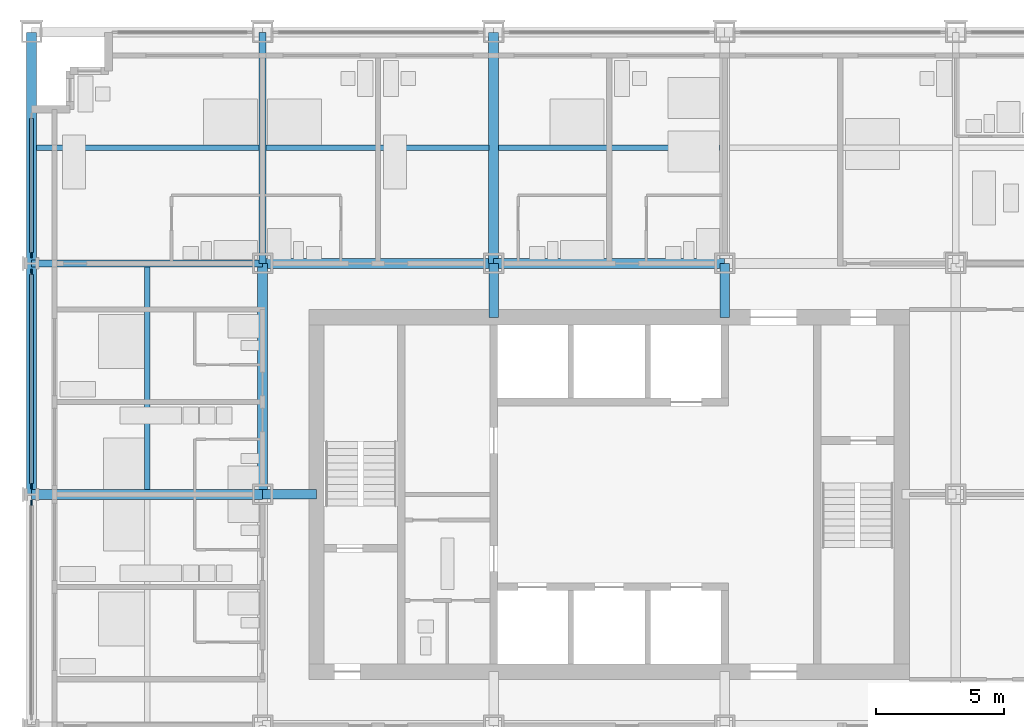
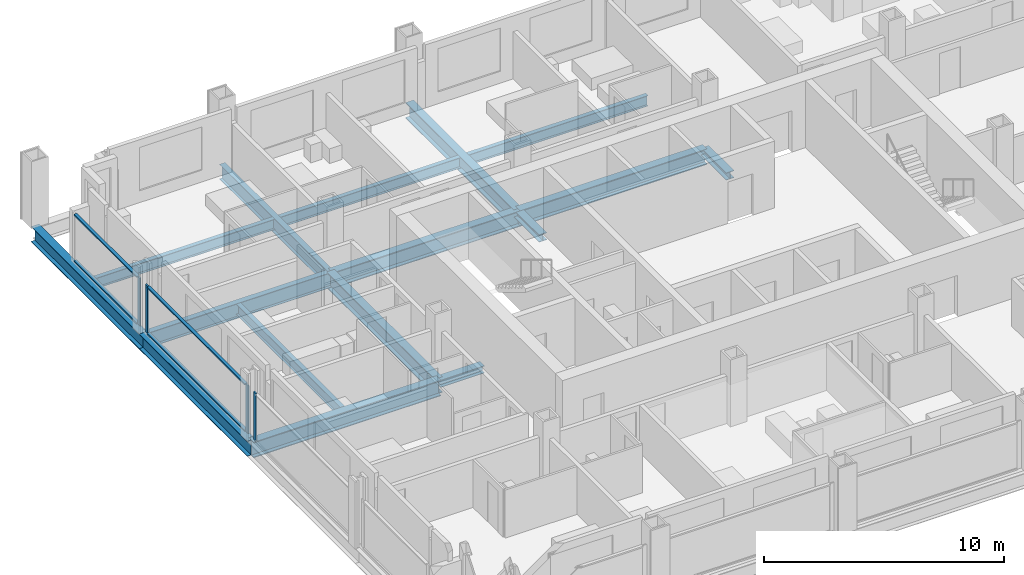
# One storey, part 4 of 18: 13 beams, 11 members, 3 elements without a shape of their own.
"""IFC4 building model written with IfcOpenShell, lengths in metres."""

from ifc_helpers import new_model, si_unit, direction, frame, origin, origin_2d, place, context, subcontext, project, spatial, rectangle, i_section, extrude, material, material_profile, profile_set, type_object, element, aggregate, save


model = new_model("IFC4")

# Units and contexts
model_context = context("Model", 3, precision=1e-05, world=origin(), true_north=direction((0.0, 1.0)))
body_context = subcontext(model_context, "Body", "Model", "MODEL_VIEW")
ifc_project = project(units=[si_unit("LENGTHUNIT", "METRE"), si_unit("AREAUNIT", "SQUARE_METRE"), si_unit("VOLUMEUNIT", "CUBIC_METRE"), si_unit("PLANEANGLEUNIT", "RADIAN"), si_unit("MASSUNIT", "GRAM", prefix="KILO")], contexts=[model_context])

# Site, building, storey
site_placement = place(None, origin())
site = spatial("IfcSite", under=ifc_project, at=site_placement, CompositionType="ELEMENT")
building_placement = place(site_placement, origin())
building = spatial("IfcBuilding", under=site, at=building_placement, Name="Loomwork Tower", CompositionType="ELEMENT")
storey_placement = place(building_placement, frame((0.0, 0.0, 55.199951171875)))
storey = spatial("IfcBuildingStorey", under=building, at=storey_placement, Name="L13", CompositionType="ELEMENT", Elevation=55.199951171875)

# Beams
ifc_material_1 = material(Name="Steel ASTM A992", Category="steel")
ifc_material_profile_1 = material_profile(ifc_material_1, i_section(OverallWidth=0.383544921875, OverallDepth=0.794921875, WebThickness=0.02099609375, FlangeThickness=0.0380859375, at=origin_2d()), Name="W30x235")
ifc_profile_set_1 = profile_set([ifc_material_profile_1], Name="Steel ASTM A992")
beam_type_1 = type_object("IfcBeamType", Name="CORE FLANK GIRDER W30x235", PredefinedType="BEAM", material=ifc_profile_set_1)
for number, where, z_axis, x_axis, name in (
    (1, (0.0, 18.0, -0.597412109375), (1.0, 0.0, 0.0), (0.0, 1.0, 0.0), "Core Flank Girder F/2-F/3 L13"),
    (2, (9.0, 27.0, -0.597412109375), (1.0, 0.0, 0.0), (0.0, 1.0, 0.0), "Core Flank Girder G/3-G/4 L13"),
    (3, (18.0, 27.0, -0.597412109375), (1.0, 0.0, 0.0), (0.0, 1.0, 0.0), "Core Flank Girder G/4-G/5 L13"),
    (4, (9.0, 18.0, -0.597412109375), (0.0, 1.0, 0.0), (-1.0, 0.0, 0.0), "Core Flank Girder F/3-G/3 L13"),
    (5, (18.0, 27.0, -0.597412109375), (0.0, 1.0, 0.0), (-1.0, 0.0, 0.0), "Core Flank Girder G/4-H/4 L13"),
):
    element("IfcBeam", number, at=place(storey_placement, frame(where, z_axis=z_axis, x_axis=x_axis)), inside=storey, type_object=beam_type_1, Name=name, PredefinedType="BEAM", context=body_context, shape_type="SweptSolid", body=[
        extrude(i_section(OverallWidth=0.383544921875, OverallDepth=0.794921875, WebThickness=0.02099609375, FlangeThickness=0.0380859375, at=origin_2d()), origin(), (0.0, 0.0, 1.0), 9.0),
    ])

# Members
ifc_material_2 = material(Name="Steel ASTM A992", Category="steel")
ifc_material_profile_2 = material_profile(ifc_material_2, i_section(OverallWidth=0.373291015625, OverallDepth=0.373291015625, WebThickness=0.016357421875, FlangeThickness=0.026123046875, at=origin_2d()), Name="W14x132")
ifc_profile_set_2 = profile_set([ifc_material_profile_2], Name="Steel ASTM A992")
member_type_1 = type_object("IfcMemberType", Name="CORE LINK STRUT W14x132", PredefinedType="STRUT", material=ifc_profile_set_2)
for number, where, z_axis, x_axis, name in (
    (6, (27.0, 27.0, -0.38671875), (0.0, -1.0, 0.0), (1.0, 0.0, 0.0), "Core link strut G/5-27.000,24.900 L13"),
    (7, (18.0, 27.0, -0.38671875), (0.0, -1.0, 0.0), (1.0, 0.0, 0.0), "Core link strut G/4-18.000,24.900 L13"),
    (8, (9.0, 18.0, -0.38671875), (1.0, 0.0, 0.0), (0.0, 1.0, 0.0), "Core link strut F/3-11.100,18.000 L13"),
):
    element("IfcMember", number, at=place(storey_placement, frame(where, z_axis=z_axis, x_axis=x_axis)), inside=storey, type_object=member_type_1, Name=name, PredefinedType="STRUT", context=body_context, shape_type="SweptSolid", body=[
        extrude(i_section(OverallWidth=0.373291015625, OverallDepth=0.373291015625, WebThickness=0.016357421875, FlangeThickness=0.026123046875, at=origin_2d()), origin(), (0.0, 0.0, 1.0), 2.10009765625),
    ])

# Beams
ifc_material_3 = material(Name="Steel ASTM A992", Category="steel")
ifc_material_profile_3 = material_profile(ifc_material_3, i_section(OverallWidth=0.2666015625, OverallDepth=0.761962890625, WebThickness=0.014404296875, FlangeThickness=0.021484375, at=origin_2d()), Name="W30x116")
ifc_profile_set_3 = profile_set([ifc_material_profile_3], Name="Steel ASTM A992")
beam_type_2 = type_object("IfcBeamType", Name="FLOOR GIRDER W30x116", PredefinedType="BEAM", material=ifc_profile_set_3)
for number, where, z_axis, x_axis, name in (
    (9, (0.0, 27.0, -0.5810546875), (1.0, 0.0, 0.0), (0.0, 1.0, 0.0), "Floor Girder G/2-G/3 L13"),
    (10, (9.0, 27.0, -0.5810546875), (0.0, 1.0, 0.0), (-1.0, 0.0, 0.0), "Floor Girder G/3-H/3 L13"),
):
    element("IfcBeam", number, at=place(storey_placement, frame(where, z_axis=z_axis, x_axis=x_axis)), inside=storey, type_object=beam_type_2, Name=name, PredefinedType="BEAM", context=body_context, shape_type="SweptSolid", body=[
        extrude(i_section(OverallWidth=0.2666015625, OverallDepth=0.761962890625, WebThickness=0.014404296875, FlangeThickness=0.021484375, at=origin_2d()), origin(), (0.0, 0.0, 1.0), 9.0),
    ])
ifc_material_4 = material(Name="Steel ASTM A992", Category="steel")
ifc_material_profile_4 = material_profile(ifc_material_4, i_section(OverallWidth=0.2109375, OverallDepth=0.53857421875, WebThickness=0.011474609375, FlangeThickness=0.018798828125, at=origin_2d()), Name="W21x73")
ifc_profile_set_4 = profile_set([ifc_material_profile_4], Name="Steel ASTM A992")
beam_type_3 = type_object("IfcBeamType", Name="FLOOR JOIST W21x73", PredefinedType="JOIST", material=ifc_profile_set_4)
beam_1_placement = place(storey_placement, frame((4.5, 18.19091796875, -0.46923828125), z_axis=(0.0, 1.0, 0.0), x_axis=(-1.0, 0.0, 0.0)))
element("IfcBeam", 11, at=beam_1_placement, inside=storey, type_object=beam_type_3, Name="Floor Joist 4.500,18.000-4.500,27.000 L13", PredefinedType="JOIST", context=body_context, shape_type="SweptSolid", body=[
    extrude(i_section(OverallWidth=0.2109375, OverallDepth=0.53857421875, WebThickness=0.011474609375, FlangeThickness=0.018798828125, at=origin_2d()), origin(), (0.0, 0.0, 1.0), 8.676025390625),
])
beam_2_placement = place(storey_placement, frame((0.18994140625, 31.5, -0.46923828125), z_axis=(1.0, 0.0, 0.0), x_axis=(0.0, 1.0, 0.0)))
element("IfcBeam", 12, at=beam_2_placement, inside=storey, type_object=beam_type_3, Name="Floor Joist 0.000,31.500-9.000,31.500 L13", PredefinedType="JOIST", context=body_context, shape_type="SweptSolid", body=[
    extrude(i_section(OverallWidth=0.2109375, OverallDepth=0.53857421875, WebThickness=0.011474609375, FlangeThickness=0.018798828125, at=origin_2d()), origin(), (0.0, 0.0, 1.0), 8.677001953125),
])
beam_3_placement = place(storey_placement, frame((9.133056640625, 31.5, -0.46923828125), z_axis=(1.0, 0.0, 0.0), x_axis=(0.0, 1.0, 0.0)))
element("IfcBeam", 13, at=beam_3_placement, inside=storey, type_object=beam_type_3, Name="Floor Joist 9.000,31.500-18.000,31.500 L13", PredefinedType="JOIST", context=body_context, shape_type="SweptSolid", body=[
    extrude(i_section(OverallWidth=0.2109375, OverallDepth=0.53857421875, WebThickness=0.011474609375, FlangeThickness=0.018798828125, at=origin_2d()), origin(), (0.0, 0.0, 1.0), 8.676025390625),
])
beam_4_placement = place(storey_placement, frame((18.19091796875, 31.5, -0.46923828125), z_axis=(1.0, 0.0, 0.0), x_axis=(0.0, 1.0, 0.0)))
element("IfcBeam", 14, at=beam_4_placement, inside=storey, type_object=beam_type_3, Name="Floor Joist 18.000,31.500-27.000,31.500 L13", PredefinedType="JOIST", context=body_context, shape_type="SweptSolid", body=[
    extrude(i_section(OverallWidth=0.2109375, OverallDepth=0.53857421875, WebThickness=0.011474609375, FlangeThickness=0.018798828125, at=origin_2d()), origin(), (0.0, 0.0, 1.0), 8.6181640625),
])

# Curtain wall, member
ifc_material_5 = material(Name="Aluminium curtain wall frame", Category="aluminium")
curtain_wall_type = type_object("IfcCurtainWallType", Name="Outer skin glazing hotel", PredefinedType="NOTDEFINED", material=ifc_material_5)
curtain_wall_1_placement = place(storey_placement, origin())
curtain_wall_1 = element("IfcCurtainWall", 15, at=curtain_wall_1_placement, inside=storey, type_object=curtain_wall_type, Name="Outer skin glazing hotel cw/W-9", PredefinedType="NOTDEFINED")
ifc_material_6 = material(Name="Aluminium curtain wall frame", Category="aluminium")
ifc_material_profile_5 = material_profile(ifc_material_6, rectangle(XDim=0.06494140625, YDim=0.199951171875, at=origin_2d()), Name="AL 65x200")
ifc_profile_set_5 = profile_set([ifc_material_profile_5], Name="Aluminium curtain wall frame")
member_type_2 = type_object("IfcMemberType", Name="Outer skin glazing hotel mullion", PredefinedType="MULLION", material=ifc_profile_set_5)
member_1_placement = place(storey_placement, frame((0.0, 17.672607421875, 0.0), z_axis=(0.0, 0.0, 1.0), x_axis=(1.0, 0.0, 0.0)))
member_1 = element("IfcMember", 16, at=member_1_placement, type_object=member_type_2, Name="CW1 mullion 1", PredefinedType="MULLION", context=body_context, shape_type="SweptSolid", body=[
    extrude(rectangle(XDim=0.06494140625, YDim=0.199951171875, at=origin_2d()), origin(), (0.0, 0.0, 1.0), 2.420166015625),
])
aggregate(curtain_wall_1, [member_1])

# Curtain wall, members
curtain_wall_2_placement = place(storey_placement, origin())
curtain_wall_2 = element("IfcCurtainWall", 17, at=curtain_wall_2_placement, inside=storey, type_object=curtain_wall_type, Name="Outer skin glazing hotel cw/W-18", PredefinedType="NOTDEFINED")
member_2_placement = place(storey_placement, frame((0.0, 26.672607421875, 0.0), z_axis=(0.0, 0.0, 1.0), x_axis=(1.0, 0.0, 0.0)))
member_2 = element("IfcMember", 18, at=member_2_placement, type_object=member_type_2, Name="CW1 mullion 1", PredefinedType="MULLION", context=body_context, shape_type="SweptSolid", body=[
    extrude(rectangle(XDim=0.06494140625, YDim=0.199951171875, at=origin_2d()), origin(), (0.0, 0.0, 1.0), 2.420166015625),
])
member_3_placement = place(storey_placement, frame((0.0, 18.327392578125, 0.0), z_axis=(0.0, 0.0, 1.0), x_axis=(1.0, 0.0, 0.0)))
member_3 = element("IfcMember", 19, at=member_3_placement, type_object=member_type_2, Name="CW1 mullion 2", PredefinedType="MULLION", context=body_context, shape_type="SweptSolid", body=[
    extrude(rectangle(XDim=0.06494140625, YDim=0.199951171875, at=origin_2d()), origin(), (0.0, 0.0, 1.0), 2.420166015625),
])

# Curtain wall, member
curtain_wall_3_placement = place(storey_placement, origin())
curtain_wall_3 = element("IfcCurtainWall", 20, at=curtain_wall_3_placement, inside=storey, type_object=curtain_wall_type, Name="Outer skin glazing hotel cw/W-27", PredefinedType="NOTDEFINED")
member_4_placement = place(storey_placement, frame((0.0, 27.327392578125, 0.0), z_axis=(0.0, 0.0, 1.0), x_axis=(1.0, 0.0, 0.0)))
member_4 = element("IfcMember", 21, at=member_4_placement, type_object=member_type_2, Name="CW1 mullion 2", PredefinedType="MULLION", context=body_context, shape_type="SweptSolid", body=[
    extrude(rectangle(XDim=0.06494140625, YDim=0.199951171875, at=origin_2d()), origin(), (0.0, 0.0, 1.0), 2.420166015625),
])

# Member
ifc_material_7 = material(Name="Aluminium curtain wall frame", Category="aluminium")
ifc_material_profile_6 = material_profile(ifc_material_7, rectangle(XDim=0.14990234375, YDim=0.06494140625, at=origin_2d()), Name="AL 65x150")
ifc_profile_set_6 = profile_set([ifc_material_profile_6], Name="Aluminium curtain wall frame")
member_type_3 = type_object("IfcMemberType", Name="Outer skin glazing hotel transom", PredefinedType="USERDEFINED", material=ifc_profile_set_6)
member_5_placement = place(storey_placement, frame((0.0, 26.57275390625, 0.032470703125), z_axis=(0.0, -1.0, 0.0), x_axis=(1.0, 0.0, 0.0)))
member_5 = element("IfcMember", 22, at=member_5_placement, type_object=member_type_3, Name="CW1 transom 1.1", ObjectType="TRANSOM", PredefinedType="USERDEFINED", context=body_context, shape_type="SweptSolid", body=[
    extrude(rectangle(XDim=0.14990234375, YDim=0.06494140625, at=origin_2d()), origin(), (0.0, 0.0, 1.0), 8.1455078125),
])

member_6_placement = place(storey_placement, frame((0.0, 26.57275390625, 2.3876953125), z_axis=(0.0, -1.0, 0.0), x_axis=(1.0, 0.0, 0.0)))
member_6 = element("IfcMember", 23, at=member_6_placement, type_object=member_type_3, Name="CW1 transom 1.2", ObjectType="TRANSOM", PredefinedType="USERDEFINED", context=body_context, shape_type="SweptSolid", body=[
    extrude(rectangle(XDim=0.14990234375, YDim=0.06494140625, at=origin_2d()), origin(), (0.0, 0.0, 1.0), 8.1455078125),
])

aggregate(curtain_wall_2, [member_2, member_3, member_5, member_6])

member_7_placement = place(storey_placement, frame((0.0, 32.64990234375, 0.032470703125), z_axis=(0.0, -1.0, 0.0), x_axis=(1.0, 0.0, 0.0)))
member_7 = element("IfcMember", 24, at=member_7_placement, type_object=member_type_3, Name="CW1 transom 1.1", ObjectType="TRANSOM", PredefinedType="USERDEFINED", context=body_context, shape_type="SweptSolid", body=[
    extrude(rectangle(XDim=0.14990234375, YDim=0.06494140625, at=origin_2d()), origin(), (0.0, 0.0, 1.0), 5.22265625),
])

member_8_placement = place(storey_placement, frame((0.0, 32.64990234375, 2.3876953125), z_axis=(0.0, -1.0, 0.0), x_axis=(1.0, 0.0, 0.0)))
member_8 = element("IfcMember", 25, at=member_8_placement, type_object=member_type_3, Name="CW1 transom 1.2", ObjectType="TRANSOM", PredefinedType="USERDEFINED", context=body_context, shape_type="SweptSolid", body=[
    extrude(rectangle(XDim=0.14990234375, YDim=0.06494140625, at=origin_2d()), origin(), (0.0, 0.0, 1.0), 5.22265625),
])

aggregate(curtain_wall_3, [member_4, member_7, member_8])

# Beams
ifc_material_8 = material(Name="Steel ASTM A992", Category="steel")
ifc_material_profile_7 = material_profile(ifc_material_8, i_section(OverallWidth=0.381103515625, OverallDepth=0.77978515625, WebThickness=0.01806640625, FlangeThickness=0.0302734375, at=origin_2d()), Name="W30x191")
ifc_profile_set_7 = profile_set([ifc_material_profile_7], Name="Steel ASTM A992")
beam_type_4 = type_object("IfcBeamType", Name="SPANDREL GIRDER W30x191", PredefinedType="SPANDREL", material=ifc_profile_set_7)
for number, where, z_axis, x_axis, name in (
    (26, (0.0, 18.0, -0.58984375), (0.0, 1.0, 0.0), (-1.0, 0.0, 0.0), "Spandrel Girder F/2-G/2 L13"),
    (27, (0.0, 27.0, -0.58984375), (0.0, 1.0, 0.0), (-1.0, 0.0, 0.0), "Spandrel Girder G/2-H/2 L13"),
):
    element("IfcBeam", number, at=place(storey_placement, frame(where, z_axis=z_axis, x_axis=x_axis)), inside=storey, type_object=beam_type_4, Name=name, PredefinedType="SPANDREL", context=body_context, shape_type="SweptSolid", body=[
        extrude(i_section(OverallWidth=0.381103515625, OverallDepth=0.77978515625, WebThickness=0.01806640625, FlangeThickness=0.0302734375, at=origin_2d()), origin(), (0.0, 0.0, 1.0), 9.0),
    ])

save(model, "model.ifc")
